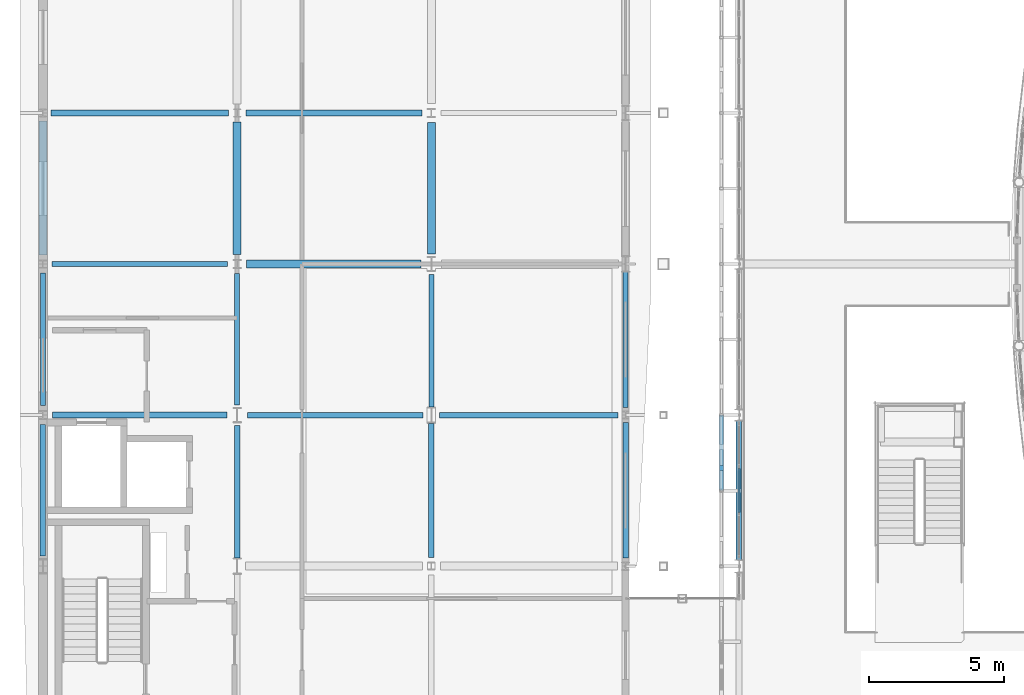
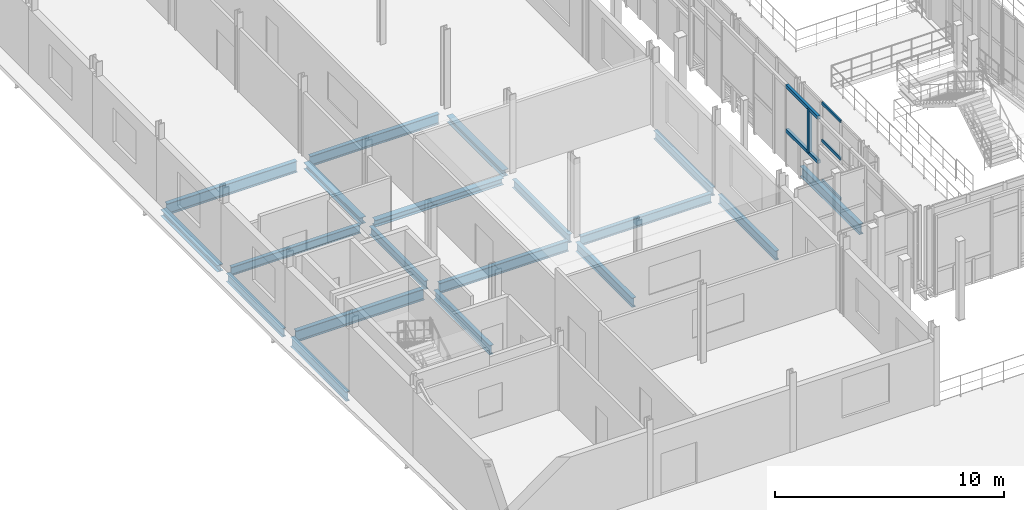
# One storey, part 34 of 138: 19 beams, 6 members, 1 element without a shape of its own.
"""IFC4 building model written with IfcOpenShell, lengths in metres."""

from ifc_helpers import new_model, si_unit, direction, frame, origin, origin_2d, place, context, subcontext, project, spatial, rectangle, hollow_rectangle, i_section, extrude, material, layer, layer_set, material_profile, profile_set, type_object, element, aggregate, save


model = new_model("IFC4")

# Units and contexts
model_context = context("Model", 3, precision=1e-05, world=origin(), true_north=direction((0.0, 1.0)))
body_context = subcontext(model_context, "Body", "Model", "MODEL_VIEW")
ifc_project = project(units=[si_unit("LENGTHUNIT", "METRE"), si_unit("AREAUNIT", "SQUARE_METRE"), si_unit("VOLUMEUNIT", "CUBIC_METRE"), si_unit("PLANEANGLEUNIT", "RADIAN"), si_unit("MASSUNIT", "GRAM", prefix="KILO")], contexts=[model_context])

# Site, building, storey
site_placement = place(None, origin())
site = spatial("IfcSite", under=ifc_project, at=site_placement, CompositionType="ELEMENT")
building_placement = place(site_placement, origin())
building = spatial("IfcBuilding", under=site, at=building_placement, Name="Vinh Khe Railworks Police Headquarters", CompositionType="ELEMENT")
storey_placement = place(building_placement, frame((0.0, 0.0, 9.0)))
storey = spatial("IfcBuildingStorey", under=building, at=storey_placement, Name="L02", CompositionType="ELEMENT", Elevation=9.0)

# Members
ifc_material_1 = material(Name="Salvaged ironwood timber", Category="wood")
ifc_material_profile_1 = material_profile(ifc_material_1, rectangle(XDim=0.139892578125, YDim=0.179931640625, at=origin_2d()), Name="TIMBER 140x180")
ifc_profile_set_1 = profile_set([ifc_material_profile_1], Name="Salvaged ironwood timber")
member_type_1 = type_object("IfcMemberType", Name="MEM-QUILT-STILE", PredefinedType="CHORD", material=ifc_profile_set_1)
for number, where, z_axis, x_axis, name in (
    (1, (25.75, 33.60009765625, 4.1201171875), (0.0, 1.0, 0.0), (-1.0, 0.0, 0.0), "Salvaged Timber Quilt Transom W-L02-03-TOP"),
    (2, (25.75, 33.60009765625, 1.763916015625), (0.0, 1.0, 0.0), (-1.0, 0.0, 0.0), "Salvaged Timber Quilt Transom W-L02-03-M1"),
):
    element("IfcMember", number, at=place(storey_placement, frame(where, z_axis=z_axis, x_axis=x_axis)), inside=storey, type_object=member_type_1, Name=name, PredefinedType="CHORD", context=body_context, shape_type="SweptSolid", body=[
        extrude(rectangle(XDim=0.139892578125, YDim=0.179931640625, at=origin_2d()), origin(), (0.0, 0.0, 1.0), 2.7998046875),
    ])
member_1_placement = place(storey_placement, frame((25.75, 34.43994140625, 1.763916015625), z_axis=(0.0, 0.0, 1.0), x_axis=(1.0, 0.0, 0.0)))
element("IfcMember", 3, at=member_1_placement, inside=storey, type_object=member_type_1, Name="Salvaged Timber Quilt Stile W-L02-03-V2", PredefinedType="POST", context=body_context, shape_type="SweptSolid", body=[
    extrude(rectangle(XDim=0.139892578125, YDim=0.179931640625, at=origin_2d()), origin(), (0.0, 0.0, 1.0), 2.356201171875),
])

# Beams
ifc_material_2 = material(Name="Steel S355JR", Category="steel")
ifc_material_profile_2 = material_profile(ifc_material_2, i_section(OverallWidth=0.300048828125, OverallDepth=0.35009765625, WebThickness=0.010009765625, FlangeThickness=0.017578125, FilletRadius=0.027099609375, at=origin_2d()), Name="HEA 360")
ifc_profile_set_2 = profile_set([ifc_material_profile_2], Name="Steel S355JR")
beam_type_1 = type_object("IfcBeamType", Name="Steel Girder HEA 360", PredefinedType="BEAM", material=ifc_profile_set_2)
beam_1_placement = place(storey_placement, frame((8.155029296875, 42.0, -0.39501953125), z_axis=(1.0, 0.0, 0.0), x_axis=(0.0, 1.0, 0.0)))
element("IfcBeam", 4, at=beam_1_placement, inside=storey, type_object=beam_type_1, Name="Girder BM-L02-EW-SB-15-0775", PredefinedType="BEAM", context=body_context, shape_type="SweptSolid", body=[
    extrude(i_section(OverallWidth=0.300048828125, OverallDepth=0.35009765625, WebThickness=0.010009765625, FlangeThickness=0.017578125, FilletRadius=0.027099609375, at=origin_2d()), origin(), (0.0, 0.0, 1.0), 6.465087890625),
])
beam_2_placement = place(storey_placement, frame((0.60009765625, 42.330078125, -0.39501953125), z_axis=(0.0, 1.0, 0.0), x_axis=(-1.0, 0.0, 0.0)))
element("IfcBeam", 5, at=beam_2_placement, inside=storey, type_object=beam_type_1, Name="Girder BM-L02-NS-SB-15-0877", PredefinedType="BEAM", context=body_context, shape_type="SweptSolid", body=[
    extrude(i_section(OverallWidth=0.300048828125, OverallDepth=0.35009765625, WebThickness=0.010009765625, FlangeThickness=0.017578125, FilletRadius=0.027099609375, at=origin_2d()), origin(), (0.0, 0.0, 1.0), 4.96484375),
])
beam_3_placement = place(storey_placement, frame((7.800048828125, 42.35498046875, -0.39501953125), z_axis=(0.0, 1.0, 0.0), x_axis=(-1.0, 0.0, 0.0)))
element("IfcBeam", 6, at=beam_3_placement, inside=storey, type_object=beam_type_1, Name="Girder BM-L02-NS-SB-15-0895", PredefinedType="BEAM", context=body_context, shape_type="SweptSolid", body=[
    extrude(i_section(OverallWidth=0.300048828125, OverallDepth=0.35009765625, WebThickness=0.010009765625, FlangeThickness=0.017578125, FilletRadius=0.027099609375, at=origin_2d()), origin(), (0.0, 0.0, 1.0), 4.9150390625),
])
beam_4_placement = place(storey_placement, frame((15.0, 42.3798828125, -0.39501953125), z_axis=(0.0, 1.0, 0.0), x_axis=(-1.0, 0.0, 0.0)))
element("IfcBeam", 7, at=beam_4_placement, inside=storey, type_object=beam_type_1, Name="Girder BM-L02-NS-SB-15-0913", PredefinedType="BEAM", context=body_context, shape_type="SweptSolid", body=[
    extrude(i_section(OverallWidth=0.300048828125, OverallDepth=0.35009765625, WebThickness=0.010009765625, FlangeThickness=0.017578125, FilletRadius=0.027099609375, at=origin_2d()), origin(), (0.0, 0.0, 1.0), 4.865234375),
])
ifc_material_profile_3 = material_profile(ifc_material_2, i_section(OverallWidth=0.18994140625, OverallDepth=0.449951171875, WebThickness=0.009521484375, FlangeThickness=0.0146484375, FilletRadius=0.02099609375, at=origin_2d()), Name="IPE 450")
ifc_profile_set_3 = profile_set([ifc_material_profile_3], Name="Steel S355JR")
beam_type_2 = type_object("IfcBeamType", Name="Steel Girder IPE 450", PredefinedType="BEAM", material=ifc_profile_set_3)
beam_5_placement = place(storey_placement, frame((0.929931640625, 42.0, -0.445068359375), z_axis=(1.0, 0.0, 0.0), x_axis=(0.0, 1.0, 0.0)))
element("IfcBeam", 8, at=beam_5_placement, inside=storey, type_object=beam_type_2, Name="Girder BM-L02-EW-SB-20-0774", PredefinedType="BEAM", context=body_context, shape_type="SweptSolid", body=[
    extrude(i_section(OverallWidth=0.18994140625, OverallDepth=0.449951171875, WebThickness=0.009521484375, FlangeThickness=0.0146484375, FilletRadius=0.02099609375, at=origin_2d()), origin(), (0.0, 0.0, 1.0), 6.51513671875),
])
beam_6_placement = place(storey_placement, frame((0.60009765625, 36.7548828125, -0.445068359375), z_axis=(0.0, 1.0, 0.0), x_axis=(-1.0, 0.0, 0.0)))
element("IfcBeam", 9, at=beam_6_placement, inside=storey, type_object=beam_type_2, Name="Girder BM-L02-NS-SB-20-0876", PredefinedType="BEAM", context=body_context, shape_type="SweptSolid", body=[
    extrude(i_section(OverallWidth=0.18994140625, OverallDepth=0.449951171875, WebThickness=0.009521484375, FlangeThickness=0.0146484375, FilletRadius=0.02099609375, at=origin_2d()), origin(), (0.0, 0.0, 1.0), 4.9150390625),
])
beam_7_placement = place(storey_placement, frame((7.800048828125, 36.780029296875, -0.445068359375), z_axis=(0.0, 1.0, 0.0), x_axis=(-1.0, 0.0, 0.0)))
element("IfcBeam", 10, at=beam_7_placement, inside=storey, type_object=beam_type_2, Name="Girder BM-L02-NS-SB-20-0894", PredefinedType="BEAM", context=body_context, shape_type="SweptSolid", body=[
    extrude(i_section(OverallWidth=0.18994140625, OverallDepth=0.449951171875, WebThickness=0.009521484375, FlangeThickness=0.0146484375, FilletRadius=0.02099609375, at=origin_2d()), origin(), (0.0, 0.0, 1.0), 4.864990234375),
])
beam_8_placement = place(storey_placement, frame((15.0, 36.705078125, -0.445068359375), z_axis=(0.0, 1.0, 0.0), x_axis=(-1.0, 0.0, 0.0)))
element("IfcBeam", 11, at=beam_8_placement, inside=storey, type_object=beam_type_2, Name="Girder BM-L02-NS-SB-20-0912", PredefinedType="BEAM", context=body_context, shape_type="SweptSolid", body=[
    extrude(i_section(OverallWidth=0.18994140625, OverallDepth=0.449951171875, WebThickness=0.009521484375, FlangeThickness=0.0146484375, FilletRadius=0.02099609375, at=origin_2d()), origin(), (0.0, 0.0, 1.0), 4.9150390625),
])
beam_9_placement = place(storey_placement, frame((22.199951171875, 36.679931640625, -0.445068359375), z_axis=(0.0, 1.0, 0.0), x_axis=(-1.0, 0.0, 0.0)))
element("IfcBeam", 12, at=beam_9_placement, inside=storey, type_object=beam_type_2, Name="Girder BM-L02-NS-SB-20-0930", PredefinedType="BEAM", context=body_context, shape_type="SweptSolid", body=[
    extrude(i_section(OverallWidth=0.18994140625, OverallDepth=0.449951171875, WebThickness=0.009521484375, FlangeThickness=0.0146484375, FilletRadius=0.02099609375, at=origin_2d()), origin(), (0.0, 0.0, 1.0), 5.065185546875),
])
ifc_material_profile_4 = material_profile(ifc_material_2, i_section(OverallWidth=0.199951171875, OverallDepth=0.5, WebThickness=0.01025390625, FlangeThickness=0.01611328125, FilletRadius=0.02099609375, at=origin_2d()), Name="IPE 500")
ifc_profile_set_4 = profile_set([ifc_material_profile_4], Name="Steel S355JR")
beam_type_3 = type_object("IfcBeamType", Name="Steel Girder IPE 500", PredefinedType="BEAM", material=ifc_profile_set_4)
beam_10_placement = place(storey_placement, frame((15.304931640625, 36.39990234375, -0.469970703125), z_axis=(1.0, 0.0, 0.0), x_axis=(0.0, 1.0, 0.0)))
element("IfcBeam", 13, at=beam_10_placement, inside=storey, type_object=beam_type_3, Name="Girder BM-L02-EW-SB-19-0773", PredefinedType="BEAM", context=body_context, shape_type="SweptSolid", body=[
    extrude(i_section(OverallWidth=0.199951171875, OverallDepth=0.5, WebThickness=0.01025390625, FlangeThickness=0.01611328125, FilletRadius=0.02099609375, at=origin_2d()), origin(), (0.0, 0.0, 1.0), 6.614990234375),
])
beam_11_placement = place(storey_placement, frame((0.60009765625, 31.179931640625, -0.469970703125), z_axis=(0.0, 1.0, 0.0), x_axis=(-1.0, 0.0, 0.0)))
element("IfcBeam", 14, at=beam_11_placement, inside=storey, type_object=beam_type_3, Name="Girder BM-L02-NS-SB-19-0875", PredefinedType="BEAM", context=body_context, shape_type="SweptSolid", body=[
    extrude(i_section(OverallWidth=0.199951171875, OverallDepth=0.5, WebThickness=0.01025390625, FlangeThickness=0.01611328125, FilletRadius=0.02099609375, at=origin_2d()), origin(), (0.0, 0.0, 1.0), 4.864990234375),
])
beam_12_placement = place(storey_placement, frame((7.800048828125, 31.10498046875, -0.469970703125), z_axis=(0.0, 1.0, 0.0), x_axis=(-1.0, 0.0, 0.0)))
element("IfcBeam", 15, at=beam_12_placement, inside=storey, type_object=beam_type_3, Name="Girder BM-L02-NS-SB-19-0893", PredefinedType="BEAM", context=body_context, shape_type="SweptSolid", body=[
    extrude(i_section(OverallWidth=0.199951171875, OverallDepth=0.5, WebThickness=0.01025390625, FlangeThickness=0.01611328125, FilletRadius=0.02099609375, at=origin_2d()), origin(), (0.0, 0.0, 1.0), 4.9150390625),
])
beam_13_placement = place(storey_placement, frame((15.0, 31.1298828125, -0.469970703125), z_axis=(0.0, 1.0, 0.0), x_axis=(-1.0, 0.0, 0.0)))
element("IfcBeam", 16, at=beam_13_placement, inside=storey, type_object=beam_type_3, Name="Girder BM-L02-NS-SB-19-0911", PredefinedType="BEAM", context=body_context, shape_type="SweptSolid", body=[
    extrude(i_section(OverallWidth=0.199951171875, OverallDepth=0.5, WebThickness=0.01025390625, FlangeThickness=0.01611328125, FilletRadius=0.02099609375, at=origin_2d()), origin(), (0.0, 0.0, 1.0), 4.965087890625),
])
beam_14_placement = place(storey_placement, frame((22.199951171875, 31.10498046875, -0.469970703125), z_axis=(0.0, 1.0, 0.0), x_axis=(-1.0, 0.0, 0.0)))
element("IfcBeam", 17, at=beam_14_placement, inside=storey, type_object=beam_type_3, Name="Girder BM-L02-NS-SB-19-0929", PredefinedType="BEAM", context=body_context, shape_type="SweptSolid", body=[
    extrude(i_section(OverallWidth=0.199951171875, OverallDepth=0.5, WebThickness=0.01025390625, FlangeThickness=0.01611328125, FilletRadius=0.02099609375, at=origin_2d()), origin(), (0.0, 0.0, 1.0), 5.01513671875),
])
ifc_material_profile_5 = material_profile(ifc_material_2, i_section(OverallWidth=0.2099609375, OverallDepth=0.550048828125, WebThickness=0.010986328125, FlangeThickness=0.01708984375, FilletRadius=0.02392578125, at=origin_2d()), Name="IPE 550")
ifc_profile_set_5 = profile_set([ifc_material_profile_5], Name="Steel S355JR")
beam_type_4 = type_object("IfcBeamType", Name="Steel Girder IPE 550", PredefinedType="BEAM", material=ifc_profile_set_5)
for number, where, z_axis, x_axis, name in (
    (18, (8.179931640625, 36.39990234375, -0.4951171875), (1.0, 0.0, 0.0), (0.0, 1.0, 0.0), "Girder BM-L02-EW-SB-18-0772"),
    (19, (8.1298828125, 47.60009765625, -0.4951171875), (1.0, 0.0, 0.0), (0.0, 1.0, 0.0), "Girder BM-L02-EW-SB-18-0778"),
):
    element("IfcBeam", number, at=place(storey_placement, frame(where, z_axis=z_axis, x_axis=x_axis)), inside=storey, type_object=beam_type_4, Name=name, PredefinedType="BEAM", context=body_context, shape_type="SweptSolid", body=[
        extrude(i_section(OverallWidth=0.2099609375, OverallDepth=0.550048828125, WebThickness=0.010986328125, FlangeThickness=0.01708984375, FilletRadius=0.02392578125, at=origin_2d()), origin(), (0.0, 0.0, 1.0), 6.51513671875),
    ])
beam_15_placement = place(storey_placement, frame((26.39990234375, 31.02490234375, -0.4951171875), z_axis=(0.0, 1.0, 0.0), x_axis=(-1.0, 0.0, 0.0)))
element("IfcBeam", 20, at=beam_15_placement, inside=storey, type_object=beam_type_4, Name="Girder BM-L02-NS-SB-18-0946", PredefinedType="BEAM", context=body_context, shape_type="SweptSolid", body=[
    extrude(i_section(OverallWidth=0.2099609375, OverallDepth=0.550048828125, WebThickness=0.010986328125, FlangeThickness=0.01708984375, FilletRadius=0.02392578125, at=origin_2d()), origin(), (0.0, 0.0, 1.0), 5.175048828125),
])
ifc_material_profile_6 = material_profile(ifc_material_2, i_section(OverallWidth=0.219970703125, OverallDepth=0.60009765625, WebThickness=0.011962890625, FlangeThickness=0.01904296875, FilletRadius=0.02392578125, at=origin_2d()), Name="IPE 600")
ifc_profile_set_6 = profile_set([ifc_material_profile_6], Name="Steel S355JR")
beam_type_5 = type_object("IfcBeamType", Name="Steel Girder IPE 600", PredefinedType="BEAM", material=ifc_profile_set_6)
beam_16_placement = place(storey_placement, frame((0.955078125, 36.39990234375, -0.52001953125), z_axis=(1.0, 0.0, 0.0), x_axis=(0.0, 1.0, 0.0)))
element("IfcBeam", 21, at=beam_16_placement, inside=storey, type_object=beam_type_5, Name="Girder BM-L02-EW-SB-17-0771", PredefinedType="BEAM", context=body_context, shape_type="SweptSolid", body=[
    extrude(i_section(OverallWidth=0.219970703125, OverallDepth=0.60009765625, WebThickness=0.011962890625, FlangeThickness=0.01904296875, FilletRadius=0.02392578125, at=origin_2d()), origin(), (0.0, 0.0, 1.0), 6.46484375),
])
beam_17_placement = place(storey_placement, frame((0.905029296875, 47.60009765625, -0.52001953125), z_axis=(1.0, 0.0, 0.0), x_axis=(0.0, 1.0, 0.0)))
element("IfcBeam", 22, at=beam_17_placement, inside=storey, type_object=beam_type_5, Name="Girder BM-L02-EW-SB-17-0777", PredefinedType="BEAM", context=body_context, shape_type="SweptSolid", body=[
    extrude(i_section(OverallWidth=0.219970703125, OverallDepth=0.60009765625, WebThickness=0.011962890625, FlangeThickness=0.01904296875, FilletRadius=0.02392578125, at=origin_2d()), origin(), (0.0, 0.0, 1.0), 6.56494140625),
])

# Curtain wall, members
ifc_material_3 = material(Name="Anodised aluminium and low-iron glass", Category="aluminium")
ifc_layer = layer(ifc_material_3, 0.179931640625)
ifc_layer_set = layer_set([ifc_layer], Name="Anodised aluminium and low-iron glass")
curtain_wall_type = type_object("IfcCurtainWallType", Name="CW-CUBE-UNIT", PredefinedType="USERDEFINED", material=ifc_layer_set)
curtain_wall_placement = place(storey_placement, origin())
curtain_wall = element("IfcCurtainWall", 23, at=curtain_wall_placement, inside=storey, type_object=curtain_wall_type, Name="Entrance Hall Curtain Wall L02 W-2", ObjectType="UNITISED GLAZING", PredefinedType="USERDEFINED")
ifc_material_4 = material(Name="Anodised aluminium 6063-T6", Category="aluminium")
ifc_material_profile_7 = material_profile(ifc_material_4, hollow_rectangle(XDim=0.070068359375, YDim=0.14990234375, WallThickness=0.0048828125, at=origin_2d()), Name="CW-T 70x150x5")
ifc_profile_set_7 = profile_set([ifc_material_profile_7], Name="Anodised aluminium 6063-T6")
member_type_2 = type_object("IfcMemberType", Name="TRAN-CWT-03", PredefinedType="USERDEFINED", material=ifc_profile_set_7)
member_2_placement = place(storey_placement, frame((26.39990234375, 32.79833984375, 0.034912109375), z_axis=(0.0, 1.0, 0.0), x_axis=(-1.0, 0.0, 0.0)))
member_2 = element("IfcMember", 24, at=member_2_placement, type_object=member_type_2, Name="CW-01 transom 2.1", ObjectType="TRANSOM", PredefinedType="USERDEFINED", context=body_context, shape_type="SweptSolid", body=[
    extrude(hollow_rectangle(XDim=0.070068359375, YDim=0.14990234375, WallThickness=0.0048828125, at=origin_2d()), origin(), (0.0, 0.0, 1.0), 1.62841796875),
])
member_3_placement = place(storey_placement, frame((26.39990234375, 32.79833984375, 2.18408203125), z_axis=(0.0, 1.0, 0.0), x_axis=(-1.0, 0.0, 0.0)))
member_3 = element("IfcMember", 25, at=member_3_placement, type_object=member_type_2, Name="CW-01 transom 2.2", ObjectType="TRANSOM", PredefinedType="USERDEFINED", context=body_context, shape_type="SweptSolid", body=[
    extrude(hollow_rectangle(XDim=0.070068359375, YDim=0.14990234375, WallThickness=0.0048828125, at=origin_2d()), origin(), (0.0, 0.0, 1.0), 1.62841796875),
])
member_4_placement = place(storey_placement, frame((26.39990234375, 32.79833984375, 4.1650390625), z_axis=(0.0, 1.0, 0.0), x_axis=(-1.0, 0.0, 0.0)))
member_4 = element("IfcMember", 26, at=member_4_placement, type_object=member_type_2, Name="CW-01 transom 2.3", ObjectType="TRANSOM", PredefinedType="USERDEFINED", context=body_context, shape_type="SweptSolid", body=[
    extrude(hollow_rectangle(XDim=0.070068359375, YDim=0.14990234375, WallThickness=0.0048828125, at=origin_2d()), origin(), (0.0, 0.0, 1.0), 1.62841796875),
])
aggregate(curtain_wall, [member_2, member_3, member_4])

save(model, "model.ifc")
